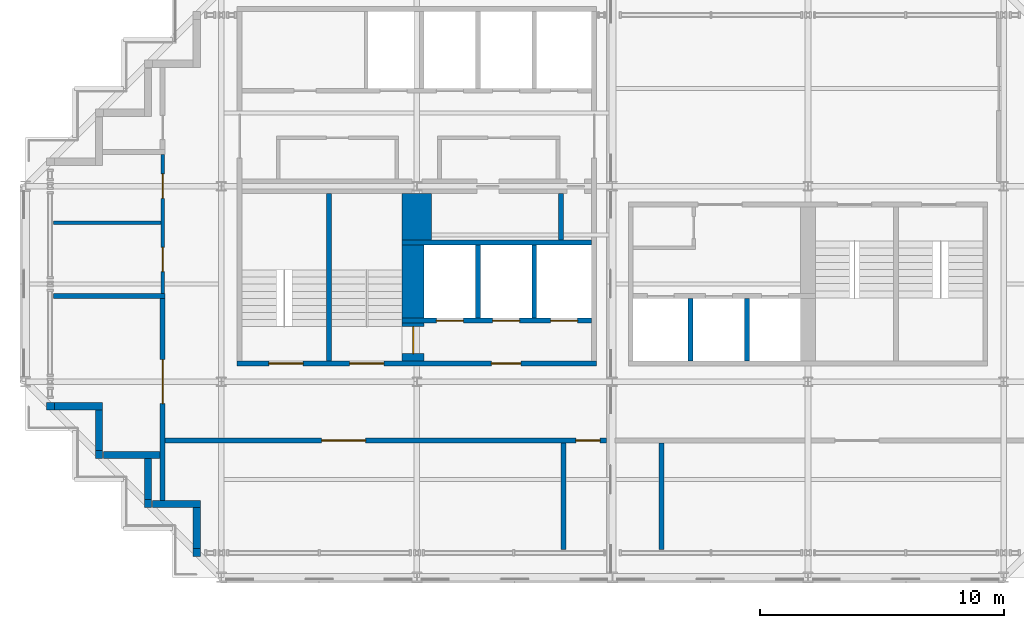
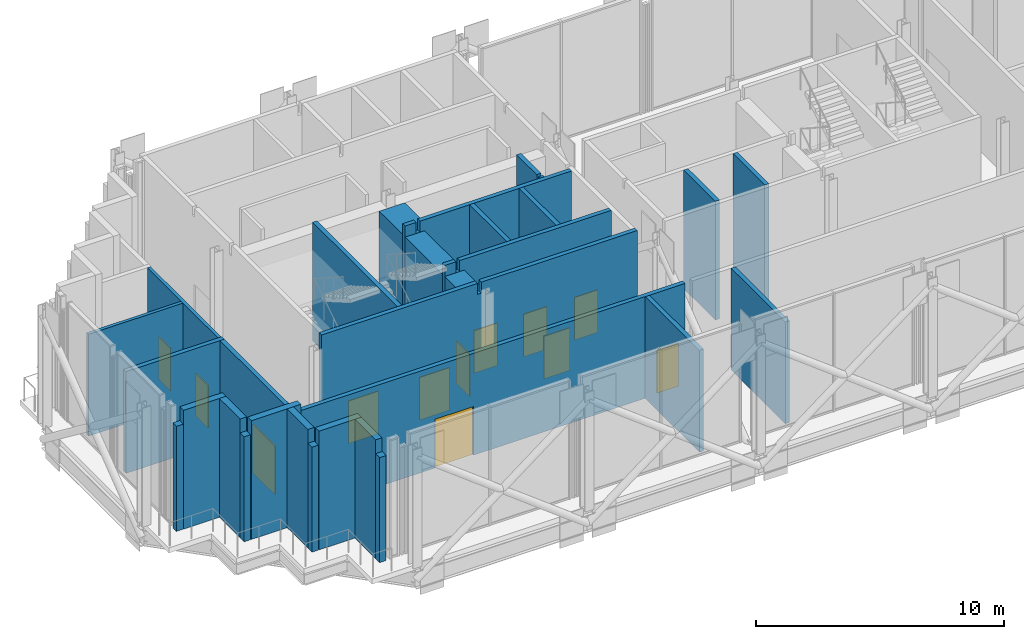
# One storey, part 11 of 16: 29 walls, 12 doors, 12 openings.
"""IFC4 building model written with IfcOpenShell, lengths in metres."""

from ifc_helpers import new_model, si_unit, direction, frame, frame_2d, origin, place, context, subcontext, project, spatial, polyline, rectangle, outline, extrude, material, layer, layer_set, type_object, element, fill, save


model = new_model("IFC4")

# Units and contexts
model_context = context("Model", 3, precision=1e-05, world=origin(), true_north=direction((0.0, 1.0)))
body_context = subcontext(model_context, "Body", "Model", "MODEL_VIEW")
ifc_project = project(units=[si_unit("LENGTHUNIT", "METRE"), si_unit("AREAUNIT", "SQUARE_METRE"), si_unit("VOLUMEUNIT", "CUBIC_METRE"), si_unit("PLANEANGLEUNIT", "RADIAN"), si_unit("MASSUNIT", "GRAM", prefix="KILO")], contexts=[model_context])

# Site, building, storey
site_placement = place(None, origin())
site = spatial("IfcSite", under=ifc_project, at=site_placement, CompositionType="ELEMENT")
building_placement = place(site_placement, origin())
building = spatial("IfcBuilding", under=site, at=building_placement, Name="Immortelle Media Tower", CompositionType="ELEMENT")
storey_placement = place(building_placement, frame((0.0, 0.0, 241.0)))
storey = spatial("IfcBuildingStorey", under=building, at=storey_placement, Name="L52", CompositionType="ELEMENT", Elevation=241.0)

# Wall, openings, doors
ifc_material_1 = material(Name="Fire-rated gypsum board", Category="gypsum")
ifc_layer_1 = layer(ifc_material_1, 0.03759765625)
ifc_material_2 = material(Name="Steel ASTM A653 SS Gr 50 stud frame with mineral wool", Category="steel")
ifc_layer_2 = layer(ifc_material_2, 0.125)
ifc_layer_3 = layer(ifc_material_1, 0.03759765625)
ifc_layer_set_1 = layer_set([ifc_layer_1, ifc_layer_2, ifc_layer_3], Name="Steel ASTM A653 SS Gr 50 stud frame with mineral wool")
wall_type_1 = type_object("IfcWallType", Name="Core shaft wall 200", PredefinedType="PARTITIONING", material=ifc_layer_set_1)
wall_1_placement = place(storey_placement, frame((15.39990234375, 10.5, 0.0), z_axis=(0.0, 0.0, 1.0), x_axis=(1.0, 0.0, 0.0)))
wall_1 = element("IfcWall", 1, at=wall_1_placement, inside=storey, type_object=wall_type_1, Name="Core shaft wall SW", PredefinedType="PARTITIONING", context=body_context, shape_type="SweptSolid", body=[
    extrude(outline(polyline([(0.0, 0.0), (7.75, 0.0), (7.75, 5.85009765625), (0.6884765625, 5.85009765625), (0.6875, 5.30810546875), (0.512451171875, 5.30810546875), (0.511474609375, 5.85009765625), (0.0, 5.85009765625), (0.0, 0.0)])), frame((0.0, 0.10009765625, 0.0), z_axis=(0.0, -1.0, 0.0), x_axis=(1.0, 0.0, 0.0)), (0.0, 0.0, 1.0), 0.199951171875),
])
opening_1_placement = place(wall_1_placement, frame((1.39990234375, 0.0, 0.0)))
opening_1 = element("IfcOpeningElement", 2, at=opening_1_placement, cuts=wall_1, Name="Opening LD", PredefinedType="OPENING", context=body_context, shape_type="SweptSolid", body=[
    extrude(rectangle(XDim=1.10009765625, YDim=2.10009765625, at=frame_2d((0.550048828125, 1.050048828125))), frame((0.0, 0.10986328125, 0.0), z_axis=(0.0, -1.0, 0.0), x_axis=(1.0, 0.0, 0.0)), (0.0, 0.0, 1.0), 0.219970703125),
])
opening_2_placement = place(wall_1_placement, frame((3.699951171875, 0.0, 0.0)))
opening_2 = element("IfcOpeningElement", 3, at=opening_2_placement, cuts=wall_1, Name="Opening LD", PredefinedType="OPENING", context=body_context, shape_type="SweptSolid", body=[
    extrude(rectangle(XDim=1.10009765625, YDim=2.10009765625, at=frame_2d((0.550048828125, 1.050048828125))), frame((0.0, 0.10986328125, 0.0), z_axis=(0.0, -1.0, 0.0), x_axis=(1.0, 0.0, 0.0)), (0.0, 0.0, 1.0), 0.219970703125),
])
opening_3_placement = place(wall_1_placement, frame((6.074951171875, 0.0, 0.0)))
opening_3 = element("IfcOpeningElement", 4, at=opening_3_placement, cuts=wall_1, Name="Opening LD", PredefinedType="OPENING", context=body_context, shape_type="SweptSolid", body=[
    extrude(rectangle(XDim=1.10009765625, YDim=2.10009765625, at=frame_2d((0.550048828125, 1.050048828125))), frame((0.0, 0.10986328125, 0.0), z_axis=(0.0, -1.0, 0.0), x_axis=(1.0, 0.0, 0.0)), (0.0, 0.0, 1.0), 0.219970703125),
])
ifc_material_3 = material(Name="Stainless steel AISI 304", Category="steel")
door_type_1 = type_object("IfcDoorType", Name="Landing door 1100 x 2100", OperationType="SLIDING_TO_LEFT", PredefinedType="NOTDEFINED", material=ifc_material_3)
door_1_placement = place(opening_1_placement, origin())
door_1 = element("IfcDoor", 5, at=door_1_placement, inside=storey, type_object=door_type_1, Name="Landing door FF1 L52", OperationType="SLIDING_TO_LEFT", OverallHeight=2.10009765625, OverallWidth=1.10009765625, PredefinedType="NOTDEFINED", context=body_context, shape_type="SweptSolid", body=[
    extrude(rectangle(XDim=1.10009765625, YDim=2.10009765625, at=frame_2d((0.550048828125, 1.050048828125))), frame((0.0, 0.02490234375, 0.0), z_axis=(0.0, -1.0, 0.0), x_axis=(1.0, 0.0, 0.0)), (0.0, 0.0, 1.0), 0.050048828125),
])
fill(opening_1, door_1)
door_2_placement = place(opening_2_placement, origin())
door_2 = element("IfcDoor", 6, at=door_2_placement, inside=storey, type_object=door_type_1, Name="Landing door FF2 L52", OperationType="SLIDING_TO_LEFT", OverallHeight=2.10009765625, OverallWidth=1.10009765625, PredefinedType="NOTDEFINED", context=body_context, shape_type="SweptSolid", body=[
    extrude(rectangle(XDim=1.10009765625, YDim=2.10009765625, at=frame_2d((0.550048828125, 1.050048828125))), frame((0.0, 0.02490234375, 0.0), z_axis=(0.0, -1.0, 0.0), x_axis=(1.0, 0.0, 0.0)), (0.0, 0.0, 1.0), 0.050048828125),
])
fill(opening_2, door_2)
door_3_placement = place(opening_3_placement, origin())
door_3 = element("IfcDoor", 7, at=door_3_placement, inside=storey, type_object=door_type_1, Name="Landing door FF3 L52", OperationType="SLIDING_TO_LEFT", OverallHeight=2.10009765625, OverallWidth=1.10009765625, PredefinedType="NOTDEFINED", context=body_context, shape_type="SweptSolid", body=[
    extrude(rectangle(XDim=1.10009765625, YDim=2.10009765625, at=frame_2d((0.550048828125, 1.050048828125))), frame((0.0, 0.02490234375, 0.0), z_axis=(0.0, -1.0, 0.0), x_axis=(1.0, 0.0, 0.0)), (0.0, 0.0, 1.0), 0.050048828125),
])
fill(opening_3, door_3)

# Walls
wall_2_placement = place(storey_placement, frame((15.39990234375, 13.699951171875, 0.0), z_axis=(0.0, 0.0, 1.0), x_axis=(1.0, 0.0, 0.0)))
element("IfcWall", 8, at=wall_2_placement, inside=storey, type_object=wall_type_1, Name="Core shaft wall SW", PredefinedType="PARTITIONING", context=body_context, shape_type="SweptSolid", body=[
    extrude(outline(polyline([(0.0, 0.0), (7.75, 0.0), (7.75, 5.85009765625), (0.6884765625, 5.85009765625), (0.6875, 5.30810546875), (0.512451171875, 5.30810546875), (0.511474609375, 5.85009765625), (0.0, 5.85009765625), (0.0, 0.0)])), frame((0.0, 0.10009765625, 0.0), z_axis=(0.0, -1.0, 0.0), x_axis=(1.0, 0.0, 0.0)), (0.0, 0.0, 1.0), 0.199951171875),
])
for number, where, z_axis, x_axis, name in (
    (9, (18.5, 10.60009765625, 0.0), (0.0, 0.0, 1.0), (0.0, 1.0, 0.0), "Core shaft wall SW"),
    (10, (20.800048828125, 10.60009765625, 0.0), (0.0, 0.0, 1.0), (0.0, 1.0, 0.0), "Core shaft wall SW"),
):
    element("IfcWall", number, at=place(storey_placement, frame(where, z_axis=z_axis, x_axis=x_axis)), inside=storey, type_object=wall_type_1, Name=name, PredefinedType="PARTITIONING", context=body_context, shape_type="SweptSolid", body=[
        extrude(rectangle(XDim=3.0, YDim=0.199951171875, at=frame_2d((1.5, 0.0))), origin(), (0.0, 0.0, 1.0), 5.85009765625),
    ])
wall_3_placement = place(storey_placement, frame((21.89990234375, 13.800048828125, 0.0), z_axis=(0.0, 0.0, 1.0), x_axis=(0.0, 1.0, 0.0)))
element("IfcWall", 11, at=wall_3_placement, inside=storey, type_object=wall_type_1, Name="Core shaft wall SW", PredefinedType="PARTITIONING", context=body_context, shape_type="SweptSolid", body=[
    extrude(outline(polyline([(0.0, 0.0), (1.89990234375, 0.0), (1.89990234375, 5.85009765625), (0.27490234375, 5.85009765625), (0.27392578125, 5.43994140625), (0.1259765625, 5.43994140625), (0.125, 5.85009765625), (0.0, 5.85009765625), (0.0, 0.0)])), frame((0.0, 0.10009765625, 0.0), z_axis=(0.0, -1.0, 0.0), x_axis=(1.0, 0.0, 0.0)), (0.0, 0.0, 1.0), 0.199951171875),
])
for number, where, z_axis, x_axis, name in (
    (12, (27.199951171875, 8.85009765625, 0.0), (0.0, 0.0, 1.0), (0.0, 1.0, 0.0), "Core shaft wall SE"),
    (13, (29.5, 8.85009765625, 0.0), (0.0, 0.0, 1.0), (0.0, 1.0, 0.0), "Core shaft wall SE"),
):
    element("IfcWall", number, at=place(storey_placement, frame(where, z_axis=z_axis, x_axis=x_axis)), inside=storey, type_object=wall_type_1, Name=name, PredefinedType="PARTITIONING", context=body_context, shape_type="SweptSolid", body=[
        extrude(rectangle(XDim=2.5498046875, YDim=0.199951171875, at=frame_2d((1.27490234375, 0.0))), origin(), (0.0, 0.0, 1.0), 5.85009765625),
    ])
ifc_layer_4 = layer(ifc_material_1, 0.03759765625)
ifc_layer_5 = layer(ifc_material_2, 0.125)
ifc_layer_6 = layer(ifc_material_1, 0.03759765625)
ifc_layer_set_2 = layer_set([ifc_layer_4, ifc_layer_5, ifc_layer_6], Name="Steel ASTM A653 SS Gr 50 stud frame with mineral wool")
wall_type_2 = type_object("IfcWallType", Name="Fire-resisting wall 200", PredefinedType="PARTITIONING", material=ifc_layer_set_2)
wall_4_placement = place(storey_placement, frame((1.1298828125, 11.5, 0.0), z_axis=(0.0, 0.0, 1.0), x_axis=(1.0, 0.0, 0.0)))
element("IfcWall", 14, at=wall_4_placement, inside=storey, type_object=wall_type_2, Name="Fire-resisting wall L52-1", PredefinedType="PARTITIONING", context=body_context, shape_type="SweptSolid", body=[
    extrude(rectangle(XDim=4.570068359375, YDim=0.199951171875, at=frame_2d((2.28515625, 0.0))), origin(), (0.0, 0.0, 1.0), 5.013916015625),
])

# Wall, opening, door
wall_5_placement = place(storey_placement, frame((5.60009765625, 3.14990234375, 0.0), z_axis=(0.0, 0.0, 1.0), x_axis=(0.0, 1.0, 0.0)))
wall_5 = element("IfcWall", 15, at=wall_5_placement, inside=storey, type_object=wall_type_2, Name="Fire-resisting wall L52-4", PredefinedType="PARTITIONING", context=body_context, shape_type="SweptSolid", body=[
    extrude(rectangle(XDim=8.25, YDim=0.199951171875, at=frame_2d((4.125, 0.0))), origin(), (0.0, 0.0, 1.0), 5.013916015625),
])
opening_4_placement = place(wall_5_placement, frame((3.949951171875, 0.0, 0.0)))
opening_4 = element("IfcOpeningElement", 16, at=opening_4_placement, cuts=wall_5, Name="Opening L52-X01", PredefinedType="OPENING", context=body_context, shape_type="SweptSolid", body=[
    extrude(rectangle(XDim=1.800048828125, YDim=2.39990234375, at=frame_2d((0.89990234375, 1.199951171875))), frame((0.0, 0.10986328125, 0.0), z_axis=(0.0, -1.0, 0.0), x_axis=(1.0, 0.0, 0.0)), (0.0, 0.0, 1.0), 0.219970703125),
])
ifc_material_4 = material(Name="Galvanised steel door leaf and frame ASTM A653", Category="steel")
door_type_2 = type_object("IfcDoorType", Name="Fire double door 1800 x 2400", OperationType="DOUBLE_DOOR_SINGLE_SWING", PredefinedType="DOOR", material=ifc_material_4)
door_4_placement = place(opening_4_placement, origin())
door_4 = element("IfcDoor", 17, at=door_4_placement, inside=storey, type_object=door_type_2, Name="Door L52-X01", OperationType="DOUBLE_DOOR_SINGLE_SWING", OverallHeight=2.39990234375, OverallWidth=1.800048828125, PredefinedType="DOOR", context=body_context, shape_type="SweptSolid", body=[
    extrude(rectangle(XDim=1.800048828125, YDim=2.39990234375, at=frame_2d((0.89990234375, 1.199951171875))), frame((0.0, 0.02490234375, 0.0), z_axis=(0.0, -1.0, 0.0), x_axis=(1.0, 0.0, 0.0)), (0.0, 0.0, 1.0), 0.050048828125),
])
fill(opening_4, door_4)

# Wall, openings, doors
wall_6_placement = place(storey_placement, frame((5.699951171875, 5.60009765625, 0.0), z_axis=(0.0, 0.0, 1.0), x_axis=(1.0, 0.0, 0.0)))
wall_6 = element("IfcWall", 18, at=wall_6_placement, inside=storey, type_object=wall_type_2, Name="Fire-resisting wall L52-7A", PredefinedType="PARTITIONING", context=body_context, shape_type="SweptSolid", body=[
    extrude(rectangle(XDim=18.06103515625, YDim=0.199951171875, at=frame_2d((9.030517578125, 0.0))), origin(), (0.0, 0.0, 1.0), 5.013916015625),
])
opening_5_placement = place(wall_6_placement, frame((6.39990234375, 0.0, 0.0)))
opening_5 = element("IfcOpeningElement", 19, at=opening_5_placement, cuts=wall_6, Name="Opening L52-X05", PredefinedType="OPENING", context=body_context, shape_type="SweptSolid", body=[
    extrude(rectangle(XDim=1.800048828125, YDim=2.39990234375, at=frame_2d((0.89990234375, 1.199951171875))), frame((0.0, 0.10986328125, 0.0), z_axis=(0.0, -1.0, 0.0), x_axis=(1.0, 0.0, 0.0)), (0.0, 0.0, 1.0), 0.219970703125),
])
opening_6_placement = place(wall_6_placement, frame((16.800048828125, 0.0, 0.0)))
opening_6 = element("IfcOpeningElement", 20, at=opening_6_placement, cuts=wall_6, Name="Opening L52-X06", PredefinedType="OPENING", context=body_context, shape_type="SweptSolid", body=[
    extrude(rectangle(XDim=1.0, YDim=2.10009765625, at=frame_2d((0.5, 1.050048828125))), frame((0.0, 0.10986328125, 0.0), z_axis=(0.0, -1.0, 0.0), x_axis=(1.0, 0.0, 0.0)), (0.0, 0.0, 1.0), 0.219970703125),
])
door_type_3 = type_object("IfcDoorType", Name="Fire door 1000 x 2100", OperationType="NOTDEFINED", PredefinedType="DOOR", material=ifc_material_4)
door_5_placement = place(opening_6_placement, origin())
door_5 = element("IfcDoor", 21, at=door_5_placement, inside=storey, type_object=door_type_3, Name="Door L52-X06", OperationType="SINGLE_SWING_LEFT", OverallHeight=2.10009765625, OverallWidth=1.0, PredefinedType="DOOR", context=body_context, shape_type="SweptSolid", body=[
    extrude(rectangle(XDim=1.0, YDim=2.10009765625, at=frame_2d((0.5, 1.050048828125))), frame((0.0, 0.02490234375, 0.0), z_axis=(0.0, -1.0, 0.0), x_axis=(1.0, 0.0, 0.0)), (0.0, 0.0, 1.0), 0.050048828125),
])
fill(opening_6, door_5)
door_6_placement = place(opening_5_placement, origin())
door_6 = element("IfcDoor", 22, at=door_6_placement, inside=storey, type_object=door_type_2, Name="Door L52-X05", OperationType="DOUBLE_DOOR_SINGLE_SWING", OverallHeight=2.39990234375, OverallWidth=1.800048828125, PredefinedType="DOOR", context=body_context, shape_type="SweptSolid", body=[
    extrude(rectangle(XDim=1.800048828125, YDim=2.39990234375, at=frame_2d((0.89990234375, 1.199951171875))), frame((0.0, 0.02490234375, 0.0), z_axis=(0.0, -1.0, 0.0), x_axis=(1.0, 0.0, 0.0)), (0.0, 0.0, 1.0), 0.050048828125),
])
fill(opening_5, door_6)

# Walls
for number, where, z_axis, x_axis, name in (
    (23, (22.0, 1.1298828125, 0.0), (0.0, 0.0, 1.0), (0.0, 1.0, 0.0), "Fire-resisting wall L52-8"),
    (24, (26.0, 1.1298828125, 0.0), (0.0, 0.0, 1.0), (0.0, 1.0, 0.0), "Fire-resisting wall L52-9"),
):
    element("IfcWall", number, at=place(storey_placement, frame(where, z_axis=z_axis, x_axis=x_axis)), inside=storey, type_object=wall_type_2, Name=name, PredefinedType="PARTITIONING", context=body_context, shape_type="SweptSolid", body=[
        extrude(rectangle(XDim=4.3701171875, YDim=0.199951171875, at=frame_2d((2.18505859375, 0.0))), origin(), (0.0, 0.0, 1.0), 5.013916015625),
    ])
ifc_material_5 = material(Name="Pale aluminium cladding panel", Category="aluminium")
ifc_layer_7 = layer(ifc_material_5, 0.030029296875)
ifc_layer_8 = layer(ifc_material_2, 0.257568359375)
ifc_material_6 = material(Name="Moisture-resistant gypsum board", Category="gypsum")
ifc_layer_9 = layer(ifc_material_6, 0.012451171875)
ifc_layer_set_3 = layer_set([ifc_layer_7, ifc_layer_8, ifc_layer_9], Name="Steel ASTM A653 SS Gr 50 stud frame with mineral wool")
wall_type_3 = type_object("IfcWallType", Name="Pale metal clad wall 300", PredefinedType="STANDARD", material=ifc_layer_set_3)
wall_7_placement = place(storey_placement, frame((0.85009765625, 7.0, 0.0), z_axis=(0.0, 0.0, 1.0), x_axis=(1.0, 0.0, 0.0)))
element("IfcWall", 25, at=wall_7_placement, inside=storey, type_object=wall_type_3, Name="Plant corner wall L52 S 1-1", PredefinedType="STANDARD", context=body_context, shape_type="SweptSolid", body=[
    extrude(rectangle(XDim=0.328857421875, YDim=0.300048828125, at=frame_2d((0.16455078125, 0.0))), origin(), (0.0, 0.0, 1.0), 5.17138671875),
])
wall_8_placement = place(storey_placement, frame((1.178955078125, 7.0, 0.0), z_axis=(0.0, 0.0, 1.0), x_axis=(1.0, 0.0, 0.0)))
element("IfcWall", 26, at=wall_8_placement, inside=storey, type_object=wall_type_3, Name="Plant corner wall L52 S 1-2", PredefinedType="STANDARD", context=body_context, shape_type="SweptSolid", body=[
    extrude(rectangle(XDim=1.970947265625, YDim=0.300048828125, at=frame_2d((0.9853515625, 0.0))), origin(), (0.0, 0.0, 1.0), 5.849609375),
])
wall_9_placement = place(storey_placement, frame((3.0, 6.85009765625, 0.0), z_axis=(0.0, 0.0, 1.0), x_axis=(0.0, -1.0, 0.0)))
element("IfcWall", 27, at=wall_9_placement, inside=storey, type_object=wall_type_3, Name="Plant corner wall L52 W 2-1", PredefinedType="STANDARD", context=body_context, shape_type="SweptSolid", body=[
    extrude(rectangle(XDim=1.671142578125, YDim=0.300048828125, at=frame_2d((0.83544921875, 0.0))), origin(), (0.0, 0.0, 1.0), 5.849609375),
])
wall_10_placement = place(storey_placement, frame((3.0, 5.178955078125, 0.0), z_axis=(0.0, 0.0, 1.0), x_axis=(0.0, -1.0, 0.0)))
element("IfcWall", 28, at=wall_10_placement, inside=storey, type_object=wall_type_3, Name="Plant corner wall L52 W 2-2", PredefinedType="STANDARD", context=body_context, shape_type="SweptSolid", body=[
    extrude(rectangle(XDim=0.328857421875, YDim=0.300048828125, at=frame_2d((0.16455078125, 0.0))), origin(), (0.0, 0.0, 1.0), 5.17138671875),
])
wall_11_placement = place(storey_placement, frame((3.178955078125, 5.0, 0.0), z_axis=(0.0, 0.0, 1.0), x_axis=(1.0, 0.0, 0.0)))
element("IfcWall", 29, at=wall_11_placement, inside=storey, type_object=wall_type_3, Name="Plant corner wall L52 S 3-2", PredefinedType="STANDARD", context=body_context, shape_type="SweptSolid", body=[
    extrude(rectangle(XDim=2.321044921875, YDim=0.300048828125, at=frame_2d((1.16064453125, 0.0))), origin(), (0.0, 0.0, 1.0), 5.849609375),
])
wall_12_placement = place(storey_placement, frame((5.0, 4.85009765625, 0.0), z_axis=(0.0, 0.0, 1.0), x_axis=(0.0, -1.0, 0.0)))
element("IfcWall", 30, at=wall_12_placement, inside=storey, type_object=wall_type_3, Name="Plant corner wall L52 W 4-1", PredefinedType="STANDARD", context=body_context, shape_type="SweptSolid", body=[
    extrude(rectangle(XDim=1.671142578125, YDim=0.300048828125, at=frame_2d((0.83544921875, 0.0))), origin(), (0.0, 0.0, 1.0), 5.849609375),
])
wall_13_placement = place(storey_placement, frame((5.0, 3.178955078125, 0.0), z_axis=(0.0, 0.0, 1.0), x_axis=(0.0, -1.0, 0.0)))
element("IfcWall", 31, at=wall_13_placement, inside=storey, type_object=wall_type_3, Name="Plant corner wall L52 W 4-2", PredefinedType="STANDARD", context=body_context, shape_type="SweptSolid", body=[
    extrude(rectangle(XDim=0.328857421875, YDim=0.300048828125, at=frame_2d((0.16455078125, 0.0))), origin(), (0.0, 0.0, 1.0), 5.17138671875),
])
wall_14_placement = place(storey_placement, frame((5.178955078125, 3.0, 0.0), z_axis=(0.0, 0.0, 1.0), x_axis=(1.0, 0.0, 0.0)))
element("IfcWall", 32, at=wall_14_placement, inside=storey, type_object=wall_type_3, Name="Plant corner wall L52 S 5-2", PredefinedType="STANDARD", context=body_context, shape_type="SweptSolid", body=[
    extrude(rectangle(XDim=1.970947265625, YDim=0.300048828125, at=frame_2d((0.9853515625, 0.0))), origin(), (0.0, 0.0, 1.0), 5.849609375),
])
wall_15_placement = place(storey_placement, frame((7.0, 2.85009765625, 0.0), z_axis=(0.0, 0.0, 1.0), x_axis=(0.0, -1.0, 0.0)))
element("IfcWall", 33, at=wall_15_placement, inside=storey, type_object=wall_type_3, Name="Plant corner wall L52 W 6-1", PredefinedType="STANDARD", context=body_context, shape_type="SweptSolid", body=[
    extrude(rectangle(XDim=1.671142578125, YDim=0.300048828125, at=frame_2d((0.83544921875, 0.0))), origin(), (0.0, 0.0, 1.0), 5.849609375),
])
wall_16_placement = place(storey_placement, frame((7.0, 1.178955078125, 0.0), z_axis=(0.0, 0.0, 1.0), x_axis=(0.0, -1.0, 0.0)))
element("IfcWall", 34, at=wall_16_placement, inside=storey, type_object=wall_type_3, Name="Plant corner wall L52 W 6-2", PredefinedType="STANDARD", context=body_context, shape_type="SweptSolid", body=[
    extrude(rectangle(XDim=0.328857421875, YDim=0.300048828125, at=frame_2d((0.16455078125, 0.0))), origin(), (0.0, 0.0, 1.0), 5.17138671875),
])
ifc_material_7 = material(Name="Gypsum board", Category="gypsum")
ifc_layer_10 = layer(ifc_material_7, 0.012451171875)
ifc_layer_11 = layer(ifc_material_2, 0.125)
ifc_layer_12 = layer(ifc_material_7, 0.012451171875)
ifc_layer_set_4 = layer_set([ifc_layer_10, ifc_layer_11, ifc_layer_12], Name="Steel ASTM A653 SS Gr 50 stud frame with mineral wool")
wall_type_4 = type_object("IfcWallType", Name="Partition 150", PredefinedType="PARTITIONING", material=ifc_layer_set_4)
wall_17_placement = place(storey_placement, frame((1.1298828125, 14.5, 0.0), z_axis=(0.0, 0.0, 1.0), x_axis=(1.0, 0.0, 0.0)))
element("IfcWall", 35, at=wall_17_placement, inside=storey, type_object=wall_type_4, Name="Partition L52-2", PredefinedType="PARTITIONING", context=body_context, shape_type="SweptSolid", body=[
    extrude(rectangle(XDim=4.39501953125, YDim=0.14990234375, at=frame_2d((2.197509765625, 0.0))), origin(), (0.0, 0.0, 1.0), 5.013916015625),
])

# Wall, openings, doors
wall_18_placement = place(storey_placement, frame((5.60009765625, 11.60009765625, 0.0), z_axis=(0.0, 0.0, 1.0), x_axis=(0.0, 1.0, 0.0)))
wall_18 = element("IfcWall", 36, at=wall_18_placement, inside=storey, type_object=wall_type_4, Name="Partition L52-5", PredefinedType="PARTITIONING", context=body_context, shape_type="SweptSolid", body=[
    extrude(rectangle(XDim=5.699951171875, YDim=0.14990234375, at=frame_2d((2.85009765625, 0.0))), origin(), (0.0, 0.0, 1.0), 5.013916015625),
])
opening_7_placement = place(wall_18_placement, frame((0.89990234375, 0.0, 0.0)))
opening_7 = element("IfcOpeningElement", 37, at=opening_7_placement, cuts=wall_18, Name="Opening L52-X02", PredefinedType="OPENING", context=body_context, shape_type="SweptSolid", body=[
    extrude(rectangle(XDim=1.0, YDim=2.10009765625, at=frame_2d((0.5, 1.050048828125))), frame((0.0, 0.0849609375, 0.0), z_axis=(0.0, -1.0, 0.0), x_axis=(1.0, 0.0, 0.0)), (0.0, 0.0, 1.0), 0.169921875),
])
opening_8_placement = place(wall_18_placement, frame((3.89990234375, 0.0, 0.0)))
opening_8 = element("IfcOpeningElement", 38, at=opening_8_placement, cuts=wall_18, Name="Opening L52-X03", PredefinedType="OPENING", context=body_context, shape_type="SweptSolid", body=[
    extrude(rectangle(XDim=1.0, YDim=2.10009765625, at=frame_2d((0.5, 1.050048828125))), frame((0.0, 0.0849609375, 0.0), z_axis=(0.0, -1.0, 0.0), x_axis=(1.0, 0.0, 0.0)), (0.0, 0.0, 1.0), 0.169921875),
])
ifc_material_8 = material(Name="Timber door leaf, galvanised steel frame ASTM A653", Category="steel")
door_type_4 = type_object("IfcDoorType", Name="Door 1000 x 2100", OperationType="NOTDEFINED", PredefinedType="DOOR", material=ifc_material_8)
door_7_placement = place(opening_7_placement, origin())
door_7 = element("IfcDoor", 39, at=door_7_placement, inside=storey, type_object=door_type_4, Name="Door L52-X02", OperationType="SINGLE_SWING_RIGHT", OverallHeight=2.10009765625, OverallWidth=1.0, PredefinedType="DOOR", context=body_context, shape_type="SweptSolid", body=[
    extrude(rectangle(XDim=1.0, YDim=2.10009765625, at=frame_2d((0.5, 1.050048828125))), frame((0.0, 0.02490234375, 0.0), z_axis=(0.0, -1.0, 0.0), x_axis=(1.0, 0.0, 0.0)), (0.0, 0.0, 1.0), 0.050048828125),
])
fill(opening_7, door_7)
door_8_placement = place(opening_8_placement, origin())
door_8 = element("IfcDoor", 40, at=door_8_placement, inside=storey, type_object=door_type_4, Name="Door L52-X03", OperationType="SINGLE_SWING_RIGHT", OverallHeight=2.10009765625, OverallWidth=1.0, PredefinedType="DOOR", context=body_context, shape_type="SweptSolid", body=[
    extrude(rectangle(XDim=1.0, YDim=2.10009765625, at=frame_2d((0.5, 1.050048828125))), frame((0.0, 0.02490234375, 0.0), z_axis=(0.0, -1.0, 0.0), x_axis=(1.0, 0.0, 0.0)), (0.0, 0.0, 1.0), 0.050048828125),
])
fill(opening_8, door_8)

# Wall
ifc_material_9 = material(Name="Concrete C60", Category="concrete")
ifc_layer_13 = layer(ifc_material_9, 1.199951171875)
ifc_layer_set_5 = layer_set([ifc_layer_13], Name="Concrete C60")
wall_type_5 = type_object("IfcWallType", Name="Stair shaft wall 1200", PredefinedType="PARTITIONING", material=ifc_layer_set_5)
wall_19_placement = place(storey_placement, frame((16.0, 13.800048828125, 0.0), z_axis=(0.0, 0.0, 1.0), x_axis=(0.0, 1.0, 0.0)))
element("IfcWall", 41, at=wall_19_placement, inside=storey, type_object=wall_type_5, Name="Stair shaft wall SW", PredefinedType="PARTITIONING", context=body_context, shape_type="SweptSolid", body=[
    extrude(rectangle(XDim=1.89990234375, YDim=1.199951171875, at=frame_2d((0.949951171875, 0.0))), origin(), (0.0, 0.0, 1.0), 5.30810546875),
])

# Wall, openings, doors
ifc_layer_14 = layer(ifc_material_9, 0.199951171875)
ifc_layer_set_6 = layer_set([ifc_layer_14], Name="Concrete C60")
wall_type_6 = type_object("IfcWallType", Name="Stair shaft wall 200", PredefinedType="PARTITIONING", material=ifc_layer_set_6)
wall_20_placement = place(storey_placement, frame((8.64990234375, 8.75, 0.0), z_axis=(0.0, 0.0, 1.0), x_axis=(1.0, 0.0, 0.0)))
wall_20 = element("IfcWall", 42, at=wall_20_placement, inside=storey, type_object=wall_type_6, Name="Stair shaft wall SW", PredefinedType="PARTITIONING", context=body_context, shape_type="SweptSolid", body=[
    extrude(outline(polyline([(0.0, 0.0), (14.7001953125, 0.0), (14.699951171875, 5.85009765625), (7.4384765625, 5.85009765625), (7.4375, 5.30810546875), (7.262451171875, 5.30810546875), (7.261474609375, 5.85009765625), (0.0, 5.85009765625), (0.0, 0.0)])), frame((0.0, 0.10009765625, 0.0), z_axis=(0.0, -1.0, 0.0), x_axis=(1.0, 0.0, 0.0)), (0.0, 0.0, 1.0), 0.199951171875),
])
opening_9_placement = place(wall_20_placement, frame((1.300048828125, 0.0, 0.0)))
opening_9 = element("IfcOpeningElement", 43, at=opening_9_placement, cuts=wall_20, Name="Opening L52-K002", PredefinedType="OPENING", context=body_context, shape_type="SweptSolid", body=[
    extrude(rectangle(XDim=1.39990234375, YDim=2.10009765625, at=frame_2d((0.699951171875, 1.050048828125))), frame((0.0, 0.10986328125, 0.0), z_axis=(0.0, -1.0, 0.0), x_axis=(1.0, 0.0, 0.0)), (0.0, 0.0, 1.0), 0.219970703125),
])
opening_10_placement = place(wall_20_placement, frame((4.60009765625, 0.0, 0.0)))
opening_10 = element("IfcOpeningElement", 44, at=opening_10_placement, cuts=wall_20, Name="Opening L52-K005", PredefinedType="OPENING", context=body_context, shape_type="SweptSolid", body=[
    extrude(rectangle(XDim=1.39990234375, YDim=2.10009765625, at=frame_2d((0.699951171875, 1.050048828125))), frame((0.0, 0.10986328125, 0.0), z_axis=(0.0, -1.0, 0.0), x_axis=(1.0, 0.0, 0.0)), (0.0, 0.0, 1.0), 0.219970703125),
])
opening_11_placement = place(wall_20_placement, frame((10.39990234375, 0.0, 0.0)))
opening_11 = element("IfcOpeningElement", 45, at=opening_11_placement, cuts=wall_20, Name="Opening L52-K012", PredefinedType="OPENING", context=body_context, shape_type="SweptSolid", body=[
    extrude(rectangle(XDim=1.199951171875, YDim=2.10009765625, at=frame_2d((0.60009765625, 1.050048828125))), frame((0.0, 0.10986328125, 0.0), z_axis=(0.0, -1.0, 0.0), x_axis=(1.0, 0.0, 0.0)), (0.0, 0.0, 1.0), 0.219970703125),
])
door_type_5 = type_object("IfcDoorType", Name="Fire-fighting lobby door 1200 x 2100", OperationType="NOTDEFINED", PredefinedType="NOTDEFINED", material=ifc_material_4)
door_9_placement = place(opening_11_placement, origin())
door_9 = element("IfcDoor", 46, at=door_9_placement, inside=storey, type_object=door_type_5, Name="Fire-fighting lobby L52-K012", OperationType="SINGLE_SWING_LEFT", OverallHeight=2.10009765625, OverallWidth=1.199951171875, PredefinedType="NOTDEFINED", context=body_context, shape_type="SweptSolid", body=[
    extrude(rectangle(XDim=1.199951171875, YDim=2.10009765625, at=frame_2d((0.60009765625, 1.050048828125))), frame((0.0, 0.02490234375, 0.0), z_axis=(0.0, -1.0, 0.0), x_axis=(1.0, 0.0, 0.0)), (0.0, 0.0, 1.0), 0.050048828125),
])
fill(opening_11, door_9)
door_type_6 = type_object("IfcDoorType", Name="Stair door 1400 x 2100", OperationType="DOUBLE_DOOR_SINGLE_SWING", PredefinedType="NOTDEFINED", material=ifc_material_4)
door_10_placement = place(opening_9_placement, origin())
door_10 = element("IfcDoor", 47, at=door_10_placement, inside=storey, type_object=door_type_6, Name="Stair L52-K002", OperationType="DOUBLE_DOOR_SINGLE_SWING", OverallHeight=2.10009765625, OverallWidth=1.39990234375, PredefinedType="NOTDEFINED", context=body_context, shape_type="SweptSolid", body=[
    extrude(rectangle(XDim=1.39990234375, YDim=2.10009765625, at=frame_2d((0.699951171875, 1.050048828125))), frame((0.0, 0.02490234375, 0.0), z_axis=(0.0, -1.0, 0.0), x_axis=(1.0, 0.0, 0.0)), (0.0, 0.0, 1.0), 0.050048828125),
])
fill(opening_9, door_10)
door_11_placement = place(opening_10_placement, origin())
door_11 = element("IfcDoor", 48, at=door_11_placement, inside=storey, type_object=door_type_6, Name="Stair L52-K005", OperationType="DOUBLE_DOOR_SINGLE_SWING", OverallHeight=2.10009765625, OverallWidth=1.39990234375, PredefinedType="NOTDEFINED", context=body_context, shape_type="SweptSolid", body=[
    extrude(rectangle(XDim=1.39990234375, YDim=2.10009765625, at=frame_2d((0.699951171875, 1.050048828125))), frame((0.0, 0.02490234375, 0.0), z_axis=(0.0, -1.0, 0.0), x_axis=(1.0, 0.0, 0.0)), (0.0, 0.0, 1.0), 0.050048828125),
])
fill(opening_10, door_11)

# Wall
wall_21_placement = place(storey_placement, frame((12.39990234375, 8.85009765625, 0.0), z_axis=(0.0, 0.0, 1.0), x_axis=(0.0, 1.0, 0.0)))
element("IfcWall", 49, at=wall_21_placement, inside=storey, type_object=wall_type_6, Name="Stair shaft wall SW", PredefinedType="PARTITIONING", context=body_context, shape_type="SweptSolid", body=[
    extrude(rectangle(XDim=6.849853515625, YDim=0.199951171875, at=frame_2d((3.4248046875, 0.0))), origin(), (0.0, 0.0, 1.0), 5.85009765625),
])

# Wall, opening, door
ifc_layer_15 = layer(ifc_material_9, 0.89990234375)
ifc_layer_set_7 = layer_set([ifc_layer_15], Name="Concrete C60")
wall_type_7 = type_object("IfcWallType", Name="Stair shaft wall 900", PredefinedType="PARTITIONING", material=ifc_layer_set_7)
wall_22_placement = place(storey_placement, frame((15.85009765625, 8.85009765625, 0.0), z_axis=(0.0, 0.0, 1.0), x_axis=(0.0, 1.0, 0.0)))
wall_22 = element("IfcWall", 50, at=wall_22_placement, inside=storey, type_object=wall_type_7, Name="Stair shaft wall SW", PredefinedType="PARTITIONING", context=body_context, shape_type="SweptSolid", body=[
    extrude(rectangle(XDim=1.5498046875, YDim=0.89990234375, at=frame_2d((0.77490234375, 0.0))), origin(), (0.0, 0.0, 1.0), 5.30810546875),
])
opening_12_placement = place(wall_22_placement, frame((0.300048828125, 0.0, 0.0)))
opening_12 = element("IfcOpeningElement", 51, at=opening_12_placement, cuts=wall_22, Name="Opening L52-K007", PredefinedType="OPENING", context=body_context, shape_type="SweptSolid", body=[
    extrude(rectangle(XDim=1.10009765625, YDim=2.10009765625, at=frame_2d((0.550048828125, 1.050048828125))), frame((0.0, 0.4599609375, 0.0), z_axis=(0.0, -1.0, 0.0), x_axis=(1.0, 0.0, 0.0)), (0.0, 0.0, 1.0), 0.919921875),
])
door_type_7 = type_object("IfcDoorType", Name="Stair lobby door 1100 x 2100", OperationType="NOTDEFINED", PredefinedType="NOTDEFINED", material=ifc_material_4)
door_12_placement = place(opening_12_placement, origin())
door_12 = element("IfcDoor", 52, at=door_12_placement, inside=storey, type_object=door_type_7, Name="Stair lobby L52-K007", OperationType="SINGLE_SWING_LEFT", OverallHeight=2.10009765625, OverallWidth=1.10009765625, PredefinedType="NOTDEFINED", context=body_context, shape_type="SweptSolid", body=[
    extrude(rectangle(XDim=1.10009765625, YDim=2.10009765625, at=frame_2d((0.550048828125, 1.050048828125))), frame((0.0, 0.02490234375, 0.0), z_axis=(0.0, -1.0, 0.0), x_axis=(1.0, 0.0, 0.0)), (0.0, 0.0, 1.0), 0.050048828125),
])
fill(opening_12, door_12)

# Wall
wall_23_placement = place(storey_placement, frame((15.85009765625, 10.60009765625, 0.0), z_axis=(0.0, 0.0, 1.0), x_axis=(0.0, 1.0, 0.0)))
element("IfcWall", 53, at=wall_23_placement, inside=storey, type_object=wall_type_7, Name="Stair shaft wall SW", PredefinedType="PARTITIONING", context=body_context, shape_type="SweptSolid", body=[
    extrude(rectangle(XDim=3.0, YDim=0.89990234375, at=frame_2d((1.5, 0.0))), origin(), (0.0, 0.0, 1.0), 5.30810546875),
])

save(model, "model.ifc")
